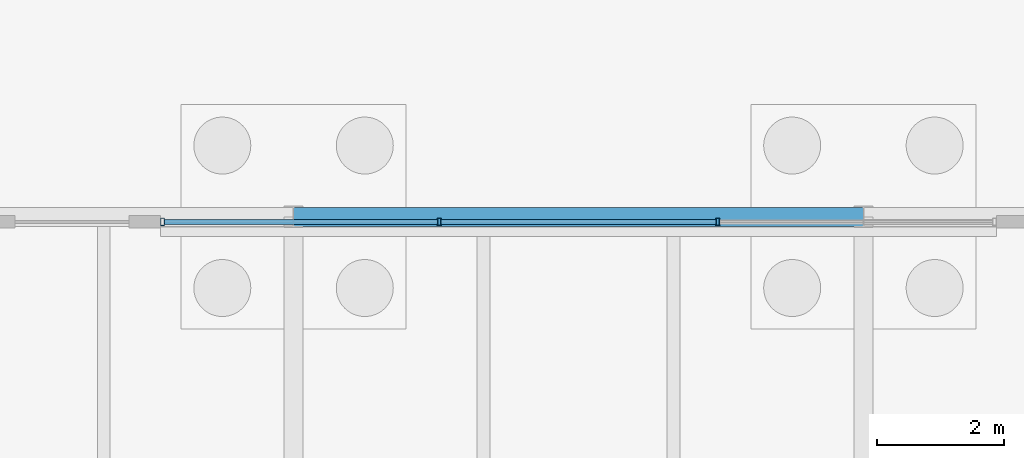
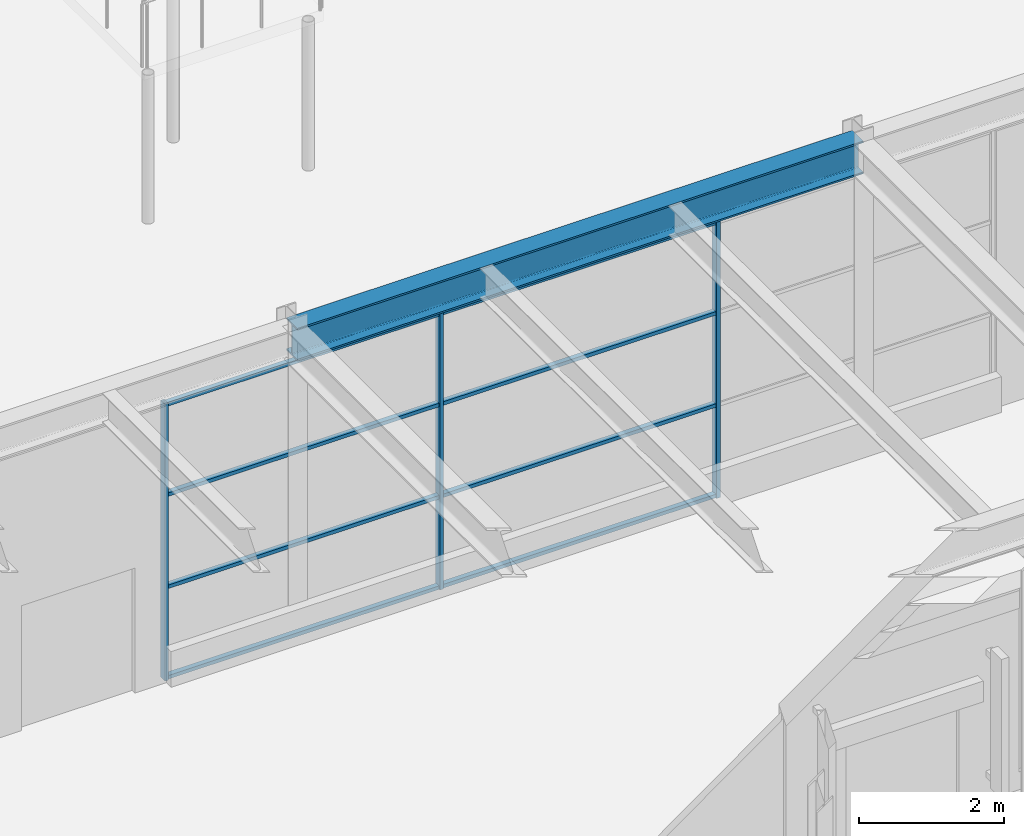
# One storey, part 36 of 126: 11 members, 1 beam, 1 element without a shape of its own.
"""IFC4 building model written with IfcOpenShell, lengths in metres."""

import ifcopenshell
import ifcopenshell.guid

model = None  # the IFC model being written
_history = None  # IfcOwnerHistory: only IFC2X3 demands one
_inside = {}  # id of a spatial element -> (the spatial element, [elements in it])
_under = {}  # id of a project, library or spatial element -> (it, [spatial elements below it])
_declared = {}  # id of a project -> (the project, [libraries it declares])
_typed = {}  # id of a type object -> (the type object, [elements of that type])
_made_of = {}  # id of a material, layer set ... -> (it, [elements and type objects made of it])


def new_model(schema):
    """Start an empty IFC model of exactly this schema.

    Asked for "IFC4X3", IfcOpenShell would pick the latest addendum, in which some entities
    have other attributes; the version numbers below select the first issue.
    IFC2X3 requires an IfcOwnerHistory on every rooted entity: one is made here for all.
    """
    global model, _history
    if schema == "IFC4X3":
        model = ifcopenshell.file(schema_version=(4, 3, 0, 0))
    else:
        model = ifcopenshell.file(schema=schema)
    _inside.clear()
    _under.clear()
    _declared.clear()
    _typed.clear()
    _made_of.clear()
    _history = None
    if model.schema == "IFC2X3":
        org = make("IfcOrganization", Name="unknown")
        user = make(
            "IfcPersonAndOrganization",
            ThePerson=make("IfcPerson", FamilyName="unknown"),
            TheOrganization=org,
        )
        app = make(
            "IfcApplication",
            ApplicationDeveloper=org,
            Version="unknown",
            ApplicationFullName="unknown",
            ApplicationIdentifier="unknown",
        )
        _history = make(
            "IfcOwnerHistory",
            OwningUser=user,
            OwningApplication=app,
            ChangeAction="ADDED",
            CreationDate=0,
        )
    return model


def make(cls, **values):
    """One entity of the class cls with the attributes given. An attribute that is None is left unset."""
    return model.create_entity(
        cls, **{name: value for name, value in values.items() if value is not None}
    )


def rooted(cls, **values):
    """An entity with a GlobalId (a new one), such as an element, a storey or a relation."""
    return make(cls, GlobalId=ifcopenshell.guid.new(), OwnerHistory=_history, **values)


def si_unit(unit_type, name, prefix=None):
    """IfcSIUnit, for example si_unit("LENGTHUNIT", "METRE", prefix="MILLI")."""
    return make("IfcSIUnit", UnitType=unit_type, Prefix=prefix, Name=name)


def assignment(units):
    """IfcUnitAssignment: the units of a project."""
    return None if units is None else make("IfcUnitAssignment", Units=units)


def point(xyz):
    """IfcCartesianPoint."""
    return None if xyz is None else make("IfcCartesianPoint", Coordinates=xyz)


def direction(xyz):
    """IfcDirection."""
    return None if xyz is None else make("IfcDirection", DirectionRatios=xyz)


def frame(location, z_axis=None, x_axis=None):
    """IfcAxis2Placement3D, a coordinate frame: its origin and axes. An axis left out is left unset."""
    return make(
        "IfcAxis2Placement3D",
        Location=point(location),
        Axis=direction(z_axis),
        RefDirection=direction(x_axis),
    )


def frame_2d(location, x_axis=None):
    """IfcAxis2Placement2D, a coordinate frame in the plane: its origin and x axis."""
    return make(
        "IfcAxis2Placement2D", Location=point(location), RefDirection=direction(x_axis)
    )


def origin():
    """The frame at (0, 0, 0) with its axes left unset."""
    return frame((0.0, 0.0, 0.0))


def origin_2d():
    """The frame at (0, 0) in the plane with its x axis left unset."""
    return frame_2d((0.0, 0.0))


def place(relative_to, where):
    """IfcLocalPlacement: puts the frame where relative to a parent placement (None: the world)."""
    return make(
        "IfcLocalPlacement", PlacementRelTo=relative_to, RelativePlacement=where
    )


def context(
    kind, dimensions, precision=None, world=None, true_north=None, identifier=None
):
    """IfcGeometricRepresentationContext, for example the 3D "Model" context."""
    return make(
        "IfcGeometricRepresentationContext",
        ContextIdentifier=identifier,
        ContextType=kind,
        CoordinateSpaceDimension=dimensions,
        Precision=precision,
        WorldCoordinateSystem=world,
        TrueNorth=true_north,
    )


def subcontext(parent, identifier, kind, view, scale=None):
    """IfcGeometricRepresentationSubContext, for example "Body" below "Model"."""
    return make(
        "IfcGeometricRepresentationSubContext",
        ContextIdentifier=identifier,
        ContextType=kind,
        ParentContext=parent,
        TargetScale=scale,
        TargetView=view,
    )


def project(units=None, contexts=None):
    """IfcProject with its units and contexts."""
    return rooted(
        "IfcProject",
        Name="project",
        RepresentationContexts=contexts,
        UnitsInContext=assignment(units),
    )


def spatial(cls, under=None, at=None, **own):
    """A site, building, storey or space (cls), placed at a placement, below another one or the project."""
    s = rooted(cls, ObjectPlacement=at, **own)
    if under is not None:
        _under.setdefault(under.id(), (under, []))[1].append(s)
    return s


def profile(cls, at=None, kind="AREA", **sizes):
    """A parametric profile (cls). Its sizes go by their IFC names, for example OverallWidth=200.0."""
    return make(cls, ProfileType=kind, Position=at, **sizes)


def hollow_rectangle(**sizes):
    """IfcRectangleHollowProfileDef."""
    return profile("IfcRectangleHollowProfileDef", **sizes)


def i_section(**sizes):
    """IfcIShapeProfileDef."""
    return profile("IfcIShapeProfileDef", **sizes)


def extrude(swept, where, along, depth):
    """IfcExtrudedAreaSolid: the profile swept, set in the frame where, extruded along a direction by depth."""
    return make(
        "IfcExtrudedAreaSolid",
        SweptArea=swept,
        Position=where,
        ExtrudedDirection=direction(along),
        Depth=depth,
    )


def shape(context_of_items, identifier, shape_type, items):
    """IfcShapeRepresentation: the items that make up one representation, for example the "Body"."""
    return make(
        "IfcShapeRepresentation",
        ContextOfItems=context_of_items,
        RepresentationIdentifier=identifier,
        RepresentationType=shape_type,
        Items=items,
    )


def material(Name=None, Category=None):
    """IfcMaterial."""
    return make("IfcMaterial", Name=Name, Category=Category)


def material_profile(
    of_material, cross_section, Name=None, Category=None, Priority=None
):
    """IfcMaterialProfile: a cross section and its material."""
    return make(
        "IfcMaterialProfile",
        Name=Name,
        Material=of_material,
        Profile=cross_section,
        Priority=Priority,
        Category=Category,
    )


def profile_set(profiles, Name=None, composite=None):
    """IfcMaterialProfileSet."""
    return make(
        "IfcMaterialProfileSet",
        Name=Name,
        MaterialProfiles=profiles,
        CompositeProfile=composite,
    )


def made_of(thing, what):
    """Note that an element or type object is made of a material, layer set ...; save() writes the relation."""
    if what is not None:
        _made_of.setdefault(what.id(), (what, []))[1].append(thing)
    return thing


def type_object(cls, material=None, **own):
    """A type object (cls), such as IfcWallType, which elements share."""
    return made_of(rooted(cls, **own), material)


def element(
    cls,
    number,
    at=None,
    inside=None,
    cuts=None,
    type_object=None,
    material=None,
    context=None,
    identifier="Body",
    shape_type=None,
    held_by="IfcProductDefinitionShape",
    body=None,
    shapes=None,
    **own,
):
    """One element of the class cls, such as IfcWall. Its Tag is "e" and its number.

    at: its placement. inside: the storey or other place that contains it. cuts: it is an
    opening in that element (IfcRelVoidsElement). A single representation is given by context,
    identifier, shape_type and body (its items); several are given by shapes. held_by: the class
    of the entity that holds the representations. save() writes the other relations.
    """
    e = rooted(cls, Tag="e%d" % number, ObjectPlacement=at, **own)
    if body is not None:
        shapes = [shape(context, identifier, shape_type, body)]
    if shapes is not None:
        e.Representation = make(held_by, Representations=shapes)
    if inside is not None:
        _inside.setdefault(inside.id(), (inside, []))[1].append(e)
    if cuts is not None:
        rooted(
            "IfcRelVoidsElement", RelatingBuildingElement=cuts, RelatedOpeningElement=e
        )
    if type_object is not None:
        _typed.setdefault(type_object.id(), (type_object, []))[1].append(e)
    return made_of(e, material)


def aggregate(whole, parts):
    """IfcRelAggregates: a whole, such as a stair, and the parts it consists of."""
    return rooted("IfcRelAggregates", RelatingObject=whole, RelatedObjects=parts)


def save(model, path):
    """Write the relations noted so far, then the file.

    IfcRelAggregates (storeys below a building ...), IfcRelContainedInSpatialStructure (elements
    in a storey), IfcRelDefinesByType, IfcRelAssociatesMaterial and IfcRelDeclares: one each for
    every whole, place, type object, material and project.
    """
    for whole, parts in _under.values():
        aggregate(whole, parts)
    for where, things in _inside.values():
        rooted(
            "IfcRelContainedInSpatialStructure",
            RelatedElements=things,
            RelatingStructure=where,
        )
    for kind, things in _typed.values():
        rooted("IfcRelDefinesByType", RelatedObjects=things, RelatingType=kind)
    for what, things in _made_of.values():
        rooted("IfcRelAssociatesMaterial", RelatedObjects=things, RelatingMaterial=what)
    for by, libraries in _declared.values():
        rooted("IfcRelDeclares", RelatingContext=by, RelatedDefinitions=libraries)
    model.write(path)


model = new_model("IFC4")

# Units and contexts
model_context = context("Model", 3, precision=1e-05, world=origin(), true_north=direction((0.0, 1.0)))
body_context = subcontext(model_context, "Body", "Model", "MODEL_VIEW")
ifc_project = project(units=[si_unit("LENGTHUNIT", "METRE"), si_unit("AREAUNIT", "SQUARE_METRE"), si_unit("VOLUMEUNIT", "CUBIC_METRE"), si_unit("PLANEANGLEUNIT", "RADIAN"), si_unit("MASSUNIT", "GRAM", prefix="KILO")], contexts=[model_context])

# Site, building, storey
site_placement = place(None, origin())
site = spatial("IfcSite", under=ifc_project, at=site_placement, CompositionType="ELEMENT")
building_placement = place(site_placement, origin())
building = spatial("IfcBuilding", under=site, at=building_placement, Name="Kallimachos Central Library", CompositionType="ELEMENT")
storey_placement = place(building_placement, origin())
storey = spatial("IfcBuildingStorey", under=building, at=storey_placement, Name="L00", CompositionType="ELEMENT", Elevation=0.0)

# Curtain wall, members
ifc_material_1 = material(Name="Aluminium and laminated glass", Category="aluminium")
curtain_wall_type = type_object("IfcCurtainWallType", Name="Atrium glazed screen", PredefinedType="NOTDEFINED", material=ifc_material_1)
curtain_wall_placement = place(storey_placement, origin())
curtain_wall = element("IfcCurtainWall", 1, at=curtain_wall_placement, inside=storey, type_object=curtain_wall_type, Name="L00 atrium screen S", PredefinedType="NOTDEFINED")
ifc_material_2 = material(Name="Anodised aluminium", Category="aluminium")
ifc_material_profile_1 = material_profile(ifc_material_2, hollow_rectangle(XDim=0.06005859375, YDim=0.1201171875, WallThickness=0.00390625, at=origin_2d()), Name="ALU MULLION 60x120")
ifc_profile_set_1 = profile_set([ifc_material_profile_1], Name="Anodised aluminium")
member_type_1 = type_object("IfcMemberType", Name="Atrium screen mullion", PredefinedType="MULLION", material=ifc_profile_set_1)
member_1_placement = place(storey_placement, frame((81.429931640625, 56.919921875, 0.0), z_axis=(0.0, 0.0, 1.0), x_axis=(1.0, 0.0, 0.0)))
member_1 = element("IfcMember", 2, at=member_1_placement, type_object=member_type_1, Name="CW mullion 1", PredefinedType="MULLION", context=body_context, shape_type="SweptSolid", body=[
    extrude(hollow_rectangle(XDim=0.06005859375, YDim=0.1201171875, WallThickness=0.00390625, at=origin_2d()), origin(), (0.0, 0.0, 1.0), 4.64990234375),
])
member_2_placement = place(storey_placement, frame((85.800048828125, 56.919921875, 0.0), z_axis=(0.0, 0.0, 1.0), x_axis=(1.0, 0.0, 0.0)))
member_2 = element("IfcMember", 3, at=member_2_placement, type_object=member_type_1, Name="CW mullion 2", PredefinedType="MULLION", context=body_context, shape_type="SweptSolid", body=[
    extrude(hollow_rectangle(XDim=0.06005859375, YDim=0.1201171875, WallThickness=0.00390625, at=origin_2d()), origin(), (0.0, 0.0, 1.0), 4.64990234375),
])
member_3_placement = place(storey_placement, frame((90.199951171875, 56.919921875, 0.0), z_axis=(0.0, 0.0, 1.0), x_axis=(1.0, 0.0, 0.0)))
member_3 = element("IfcMember", 4, at=member_3_placement, type_object=member_type_1, Name="CW mullion 3", PredefinedType="MULLION", context=body_context, shape_type="SweptSolid", body=[
    extrude(hollow_rectangle(XDim=0.06005859375, YDim=0.1201171875, WallThickness=0.00390625, at=origin_2d()), origin(), (0.0, 0.0, 1.0), 4.64990234375),
])
ifc_material_3 = material(Name="Anodised aluminium", Category="aluminium")
ifc_material_profile_2 = material_profile(ifc_material_3, hollow_rectangle(XDim=0.06005859375, YDim=0.080078125, WallThickness=0.00390625, at=origin_2d()), Name="ALU TRANSOM 60x80")
ifc_profile_set_2 = profile_set([ifc_material_profile_2], Name="Anodised aluminium")
member_type_2 = type_object("IfcMemberType", Name="Atrium screen transom", PredefinedType="USERDEFINED", material=ifc_profile_set_2)
member_4_placement = place(storey_placement, frame((81.4599609375, 56.919921875, 0.030029296875), z_axis=(1.0, 0.0, 0.0), x_axis=(0.0, 0.0, 1.0)))
member_4 = element("IfcMember", 5, at=member_4_placement, type_object=member_type_2, Name="CW transom 1.1", ObjectType="TRANSOM", PredefinedType="USERDEFINED", context=body_context, shape_type="SweptSolid", body=[
    extrude(hollow_rectangle(XDim=0.06005859375, YDim=0.080078125, WallThickness=0.00390625, at=origin_2d()), origin(), (0.0, 0.0, 1.0), 4.31005859375),
])
member_5_placement = place(storey_placement, frame((81.4599609375, 56.919921875, 1.550048828125), z_axis=(1.0, 0.0, 0.0), x_axis=(0.0, 0.0, 1.0)))
member_5 = element("IfcMember", 6, at=member_5_placement, type_object=member_type_2, Name="CW transom 1.2", ObjectType="TRANSOM", PredefinedType="USERDEFINED", context=body_context, shape_type="SweptSolid", body=[
    extrude(hollow_rectangle(XDim=0.06005859375, YDim=0.080078125, WallThickness=0.00390625, at=origin_2d()), origin(), (0.0, 0.0, 1.0), 4.31005859375),
])
member_6_placement = place(storey_placement, frame((81.4599609375, 56.919921875, 3.10009765625), z_axis=(1.0, 0.0, 0.0), x_axis=(0.0, 0.0, 1.0)))
member_6 = element("IfcMember", 7, at=member_6_placement, type_object=member_type_2, Name="CW transom 1.3", ObjectType="TRANSOM", PredefinedType="USERDEFINED", context=body_context, shape_type="SweptSolid", body=[
    extrude(hollow_rectangle(XDim=0.06005859375, YDim=0.080078125, WallThickness=0.00390625, at=origin_2d()), origin(), (0.0, 0.0, 1.0), 4.31005859375),
])
member_7_placement = place(storey_placement, frame((81.4599609375, 56.919921875, 4.6201171875), z_axis=(1.0, 0.0, 0.0), x_axis=(0.0, 0.0, 1.0)))
member_7 = element("IfcMember", 8, at=member_7_placement, type_object=member_type_2, Name="CW transom 1.4", ObjectType="TRANSOM", PredefinedType="USERDEFINED", context=body_context, shape_type="SweptSolid", body=[
    extrude(hollow_rectangle(XDim=0.06005859375, YDim=0.080078125, WallThickness=0.00390625, at=origin_2d()), origin(), (0.0, 0.0, 1.0), 4.31005859375),
])
member_8_placement = place(storey_placement, frame((85.830078125, 56.919921875, 0.030029296875), z_axis=(1.0, 0.0, 0.0), x_axis=(0.0, 0.0, 1.0)))
member_8 = element("IfcMember", 9, at=member_8_placement, type_object=member_type_2, Name="CW transom 2.1", ObjectType="TRANSOM", PredefinedType="USERDEFINED", context=body_context, shape_type="SweptSolid", body=[
    extrude(hollow_rectangle(XDim=0.06005859375, YDim=0.080078125, WallThickness=0.00390625, at=origin_2d()), origin(), (0.0, 0.0, 1.0), 4.33984375),
])
member_9_placement = place(storey_placement, frame((85.830078125, 56.919921875, 1.550048828125), z_axis=(1.0, 0.0, 0.0), x_axis=(0.0, 0.0, 1.0)))
member_9 = element("IfcMember", 10, at=member_9_placement, type_object=member_type_2, Name="CW transom 2.2", ObjectType="TRANSOM", PredefinedType="USERDEFINED", context=body_context, shape_type="SweptSolid", body=[
    extrude(hollow_rectangle(XDim=0.06005859375, YDim=0.080078125, WallThickness=0.00390625, at=origin_2d()), origin(), (0.0, 0.0, 1.0), 4.33984375),
])
member_10_placement = place(storey_placement, frame((85.830078125, 56.919921875, 3.10009765625), z_axis=(1.0, 0.0, 0.0), x_axis=(0.0, 0.0, 1.0)))
member_10 = element("IfcMember", 11, at=member_10_placement, type_object=member_type_2, Name="CW transom 2.3", ObjectType="TRANSOM", PredefinedType="USERDEFINED", context=body_context, shape_type="SweptSolid", body=[
    extrude(hollow_rectangle(XDim=0.06005859375, YDim=0.080078125, WallThickness=0.00390625, at=origin_2d()), origin(), (0.0, 0.0, 1.0), 4.33984375),
])
member_11_placement = place(storey_placement, frame((85.830078125, 56.919921875, 4.6201171875), z_axis=(1.0, 0.0, 0.0), x_axis=(0.0, 0.0, 1.0)))
member_11 = element("IfcMember", 12, at=member_11_placement, type_object=member_type_2, Name="CW transom 2.4", ObjectType="TRANSOM", PredefinedType="USERDEFINED", context=body_context, shape_type="SweptSolid", body=[
    extrude(hollow_rectangle(XDim=0.06005859375, YDim=0.080078125, WallThickness=0.00390625, at=origin_2d()), origin(), (0.0, 0.0, 1.0), 4.33984375),
])
aggregate(curtain_wall, [member_1, member_2, member_3, member_4, member_5, member_6, member_7, member_8, member_9, member_10, member_11])

# Beam
ifc_material_4 = material(Name="Steel S355J2", Category="steel")
ifc_material_profile_3 = material_profile(ifc_material_4, i_section(OverallWidth=0.300048828125, OverallDepth=0.550048828125, WebThickness=0.014892578125, FlangeThickness=0.029052734375, FilletRadius=0.027099609375, at=origin_2d()), Name="HEB 550")
ifc_profile_set_3 = profile_set([ifc_material_profile_3], Name="Steel S355J2")
beam_type = type_object("IfcBeamType", Name="HEB 550 beam", PredefinedType="BEAM", material=ifc_profile_set_3)
beam_placement = place(storey_placement, frame((83.5, 57.0, 4.925048828125), z_axis=(1.0, 0.0, 0.0), x_axis=(0.0, 1.0, 0.0)))
element("IfcBeam", 13, at=beam_placement, inside=storey, type_object=beam_type, Name="V4-BEM-L00-047", PredefinedType="BEAM", context=body_context, shape_type="SweptSolid", body=[
    extrude(i_section(OverallWidth=0.300048828125, OverallDepth=0.550048828125, WebThickness=0.014892578125, FlangeThickness=0.029052734375, FilletRadius=0.027099609375, at=origin_2d()), origin(), (0.0, 0.0, 1.0), 9.0),
])

save(model, "model.ifc")
